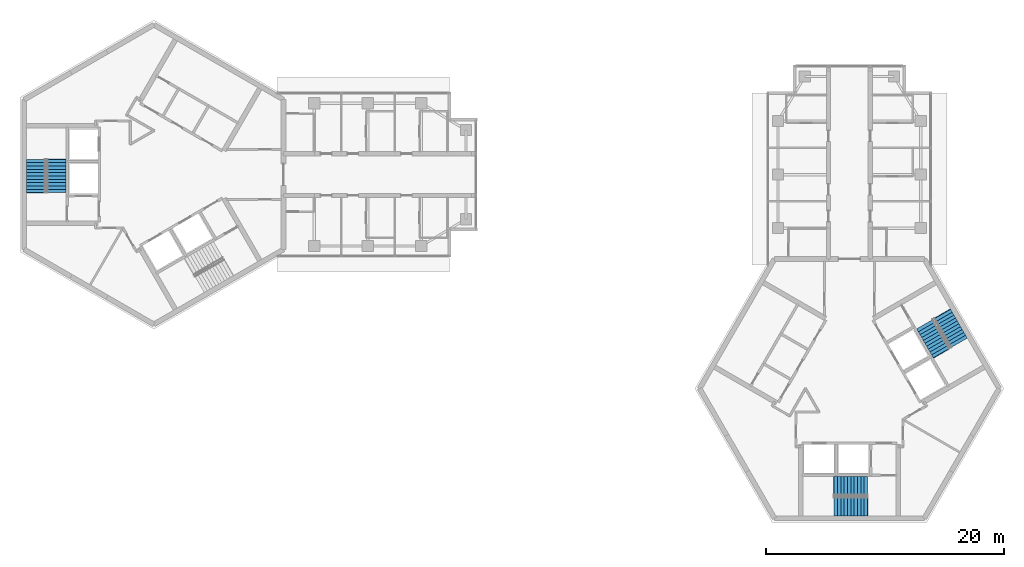
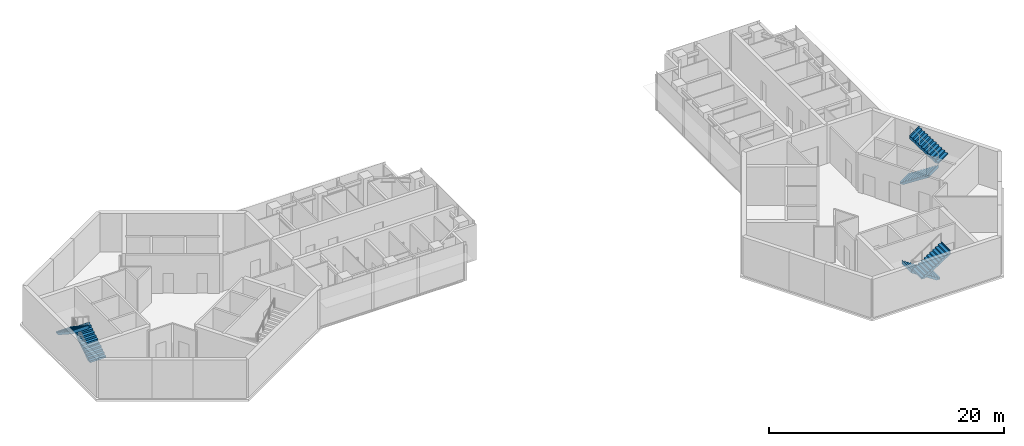
# One storey, part 10 of 11: 6 stair flights, 3 elements without a shape of their own.
"""IFC4 building model written with IfcOpenShell, lengths in metres."""

from ifc_helpers import new_model, si_unit, direction, frame, origin, place, context, subcontext, project, spatial, polyline, outline, extrude, material, type_object, element, aggregate, save


model = new_model("IFC4")

# Units and contexts
model_context = context("Model", 3, precision=1e-05, world=origin(), true_north=direction((0.0, 1.0)))
body_context = subcontext(model_context, "Body", "Model", "MODEL_VIEW")
ifc_project = project(units=[si_unit("LENGTHUNIT", "METRE"), si_unit("AREAUNIT", "SQUARE_METRE"), si_unit("VOLUMEUNIT", "CUBIC_METRE"), si_unit("PLANEANGLEUNIT", "RADIAN"), si_unit("MASSUNIT", "GRAM", prefix="KILO")], contexts=[model_context])

# Site, building, storey
site_placement = place(None, origin())
site = spatial("IfcSite", under=ifc_project, at=site_placement, CompositionType="ELEMENT")
building_placement = place(site_placement, origin())
building = spatial("IfcBuilding", under=site, at=building_placement, Name="Upepo Twin Towers", CompositionType="ELEMENT")
storey_placement = place(building_placement, frame((0.0, 0.0, 287.5)))
storey = spatial("IfcBuildingStorey", under=building, at=storey_placement, Name="L70", CompositionType="ELEMENT", Elevation=287.5)

# Stair, stair flights
ifc_material_1 = material(Name="Concrete C40/50", Category="concrete")
stair_type = type_object("IfcStairType", Name="Core stair, two flights", PredefinedType="HALF_TURN_STAIR", material=ifc_material_1)
stair_1_placement = place(storey_placement, origin())
stair_1 = element("IfcStair", 1, at=stair_1_placement, inside=storey, type_object=stair_type, Name="T1 stair S1 L70", PredefinedType="HALF_TURN_STAIR")
ifc_material_2 = material(Name="Concrete C40/50", Category="concrete")
stair_flight_type = type_object("IfcStairFlightType", Name="Stair flight 1600 RC", PredefinedType="STRAIGHT", material=ifc_material_2)
stair_flight_1_placement = place(storey_placement, frame((-8.199951171875, -1.52001953125, 0.0), z_axis=(0.0, 0.0, 1.0), x_axis=(0.0, 1.0, 0.0)))
stair_flight_1 = element("IfcStairFlight", 2, at=stair_flight_1_placement, type_object=stair_flight_type, Name="Stair S1 flight 1", NumberOfRisers=11, NumberOfTreads=10, PredefinedType="STRAIGHT", RiserHeight=0.181818182, TreadLength=0.28, context=body_context, shape_type="SweptSolid", body=[
    extrude(outline(polyline([(0.0, 0.0), (0.0, 0.181884765625), (0.280029296875, 0.181884765625), (0.280029296875, 0.363525390625), (0.56005859375, 0.363525390625), (0.56005859375, 0.54541015625), (0.840087890625, 0.54541015625), (0.840087890625, 0.727294921875), (1.1201171875, 0.727294921875), (1.1201171875, 0.9091796875), (1.39990234375, 0.9091796875), (1.39990234375, 1.0908203125), (1.679931640625, 1.0908203125), (1.679931640625, 1.272705078125), (1.9599609375, 1.272705078125), (1.9599609375, 1.45458984375), (2.239990234375, 1.45458984375), (2.239990234375, 1.636474609375), (2.52001953125, 1.636474609375), (2.52001953125, 1.818115234375), (2.800048828125, 1.818115234375), (2.800048828125, 2.0), (2.85009765625, 2.0), (2.85009765625, 1.639404296875), (0.3251953125, 0.0), (0.0, 0.0)])), frame((0.0, 0.800048828125, 0.0), z_axis=(0.0, -1.0, 0.0), x_axis=(1.0, 0.0, 0.0)), (0.0, 0.0, 1.0), 1.60009765625),
])
stair_flight_2_placement = place(storey_placement, frame((-9.908447265625, 1.280029296875, 2.0), z_axis=(0.0, 0.0, 1.0), x_axis=(0.0, -1.0, 0.0)))
stair_flight_2 = element("IfcStairFlight", 3, at=stair_flight_2_placement, type_object=stair_flight_type, Name="Stair S1 flight 2", NumberOfRisers=11, NumberOfTreads=10, PredefinedType="STRAIGHT", RiserHeight=0.181818182, TreadLength=0.28, context=body_context, shape_type="SweptSolid", body=[
    extrude(outline(polyline([(0.0, 0.0), (0.0, 0.181884765625), (0.280029296875, 0.181884765625), (0.280029296875, 0.363525390625), (0.56005859375, 0.363525390625), (0.56005859375, 0.54541015625), (0.840087890625, 0.54541015625), (0.840087890625, 0.727294921875), (1.1201171875, 0.727294921875), (1.1201171875, 0.9091796875), (1.39990234375, 0.9091796875), (1.39990234375, 1.0908203125), (1.679931640625, 1.0908203125), (1.679931640625, 1.272705078125), (1.9599609375, 1.272705078125), (1.9599609375, 1.45458984375), (2.239990234375, 1.45458984375), (2.239990234375, 1.636474609375), (2.52001953125, 1.636474609375), (2.52001953125, 1.818115234375), (2.800048828125, 1.818115234375), (2.800048828125, 2.0), (2.85009765625, 2.0), (2.85009765625, 1.639404296875), (0.3251953125, 0.0), (0.0, 0.0)])), frame((0.0, 0.800048828125, 0.0), z_axis=(0.0, -1.0, 0.0), x_axis=(1.0, 0.0, 0.0)), (0.0, 0.0, 1.0), 1.60009765625),
])
aggregate(stair_1, [stair_flight_1, stair_flight_2])

stair_2_placement = place(storey_placement, origin())
stair_2 = element("IfcStair", 4, at=stair_2_placement, inside=storey, type_object=stair_type, Name="T2 stair S1 L70", PredefinedType="HALF_TURN_STAIR")
stair_flight_3_placement = place(storey_placement, frame((60.02001953125, -26.199951171875, 0.0), z_axis=(0.0, 0.0, 1.0), x_axis=(-1.0, 0.0, 0.0)))
stair_flight_3 = element("IfcStairFlight", 5, at=stair_flight_3_placement, type_object=stair_flight_type, Name="Stair S1 flight 1", NumberOfRisers=11, NumberOfTreads=10, PredefinedType="STRAIGHT", RiserHeight=0.181818182, TreadLength=0.28, context=body_context, shape_type="SweptSolid", body=[
    extrude(outline(polyline([(0.0, 0.0), (0.0, 0.181884765625), (0.280029296875, 0.181884765625), (0.280029296875, 0.363525390625), (0.56005859375, 0.363525390625), (0.56005859375, 0.54541015625), (0.840087890625, 0.54541015625), (0.840087890625, 0.727294921875), (1.1201171875, 0.727294921875), (1.1201171875, 0.9091796875), (1.39990234375, 0.9091796875), (1.39990234375, 1.0908203125), (1.679931640625, 1.0908203125), (1.679931640625, 1.272705078125), (1.9599609375, 1.272705078125), (1.9599609375, 1.45458984375), (2.239990234375, 1.45458984375), (2.239990234375, 1.636474609375), (2.52001953125, 1.636474609375), (2.52001953125, 1.818115234375), (2.800048828125, 1.818115234375), (2.800048828125, 2.0), (2.85009765625, 2.0), (2.85009765625, 1.639404296875), (0.3251953125, 0.0), (0.0, 0.0)])), frame((0.0, 0.800048828125, 0.0), z_axis=(0.0, -1.0, 0.0), x_axis=(1.0, 0.0, 0.0)), (0.0, 0.0, 1.0), 1.60009765625),
])
stair_flight_4_placement = place(storey_placement, frame((57.219970703125, -27.908447265625, 2.0), z_axis=(0.0, 0.0, 1.0), x_axis=(1.0, 0.0, 0.0)))
stair_flight_4 = element("IfcStairFlight", 6, at=stair_flight_4_placement, type_object=stair_flight_type, Name="Stair S1 flight 2", NumberOfRisers=11, NumberOfTreads=10, PredefinedType="STRAIGHT", RiserHeight=0.181818182, TreadLength=0.28, context=body_context, shape_type="SweptSolid", body=[
    extrude(outline(polyline([(0.0, 0.0), (0.0, 0.181884765625), (0.280029296875, 0.181884765625), (0.280029296875, 0.363525390625), (0.56005859375, 0.363525390625), (0.56005859375, 0.54541015625), (0.840087890625, 0.54541015625), (0.840087890625, 0.727294921875), (1.1201171875, 0.727294921875), (1.1201171875, 0.9091796875), (1.39990234375, 0.9091796875), (1.39990234375, 1.0908203125), (1.679931640625, 1.0908203125), (1.679931640625, 1.272705078125), (1.9599609375, 1.272705078125), (1.9599609375, 1.45458984375), (2.239990234375, 1.45458984375), (2.239990234375, 1.636474609375), (2.52001953125, 1.636474609375), (2.52001953125, 1.818115234375), (2.800048828125, 1.818115234375), (2.800048828125, 2.0), (2.85009765625, 2.0), (2.85009765625, 1.639404296875), (0.3251953125, 0.0), (0.0, 0.0)])), frame((0.0, 0.800048828125, 0.0), z_axis=(0.0, -1.0, 0.0), x_axis=(1.0, 0.0, 0.0)), (0.0, 0.0, 1.0), 1.60009765625),
])
aggregate(stair_2, [stair_flight_3, stair_flight_4])

stair_3_placement = place(storey_placement, origin())
stair_3 = element("IfcStair", 7, at=stair_3_placement, inside=storey, type_object=stair_type, Name="T2 stair S2 L70", PredefinedType="HALF_TURN_STAIR")
stair_flight_5_placement = place(storey_placement, frame((64.84130859375, -12.583740234375, 0.0), z_axis=(0.0, 0.0, 1.0), x_axis=(0.5, -0.866025403784, 0.0)))
stair_flight_5 = element("IfcStairFlight", 8, at=stair_flight_5_placement, type_object=stair_flight_type, Name="Stair S2 flight 1", NumberOfRisers=11, NumberOfTreads=10, PredefinedType="STRAIGHT", RiserHeight=0.181818182, TreadLength=0.28, context=body_context, shape_type="SweptSolid", body=[
    extrude(outline(polyline([(0.0, 0.0), (0.0, 0.181884765625), (0.280029296875, 0.181884765625), (0.280029296875, 0.363525390625), (0.56005859375, 0.363525390625), (0.56005859375, 0.54541015625), (0.840087890625, 0.54541015625), (0.840087890625, 0.727294921875), (1.1201171875, 0.727294921875), (1.1201171875, 0.9091796875), (1.39990234375, 0.9091796875), (1.39990234375, 1.0908203125), (1.679931640625, 1.0908203125), (1.679931640625, 1.272705078125), (1.9599609375, 1.272705078125), (1.9599609375, 1.45458984375), (2.239990234375, 1.45458984375), (2.239990234375, 1.636474609375), (2.52001953125, 1.636474609375), (2.52001953125, 1.818115234375), (2.800048828125, 1.818115234375), (2.800048828125, 2.0), (2.85009765625, 2.0), (2.85009765625, 1.639404296875), (0.3251953125, 0.0), (0.0, 0.0)])), frame((0.0, 0.800048828125, 0.0), z_axis=(0.0, -1.0, 0.0), x_axis=(1.0, 0.0, 0.0)), (0.0, 0.0, 1.0), 1.60009765625),
])
stair_flight_6_placement = place(storey_placement, frame((67.720947265625, -14.154296875, 2.0), z_axis=(0.0, 0.0, 1.0), x_axis=(-0.5, 0.866025403784, 0.0)))
stair_flight_6 = element("IfcStairFlight", 9, at=stair_flight_6_placement, type_object=stair_flight_type, Name="Stair S2 flight 2", NumberOfRisers=11, NumberOfTreads=10, PredefinedType="STRAIGHT", RiserHeight=0.181818182, TreadLength=0.28, context=body_context, shape_type="SweptSolid", body=[
    extrude(outline(polyline([(0.0, 0.0), (0.0, 0.181884765625), (0.280029296875, 0.181884765625), (0.280029296875, 0.363525390625), (0.56005859375, 0.363525390625), (0.56005859375, 0.54541015625), (0.840087890625, 0.54541015625), (0.840087890625, 0.727294921875), (1.1201171875, 0.727294921875), (1.1201171875, 0.9091796875), (1.39990234375, 0.9091796875), (1.39990234375, 1.0908203125), (1.679931640625, 1.0908203125), (1.679931640625, 1.272705078125), (1.9599609375, 1.272705078125), (1.9599609375, 1.45458984375), (2.239990234375, 1.45458984375), (2.239990234375, 1.636474609375), (2.52001953125, 1.636474609375), (2.52001953125, 1.818115234375), (2.800048828125, 1.818115234375), (2.800048828125, 2.0), (2.85009765625, 2.0), (2.85009765625, 1.639404296875), (0.3251953125, 0.0), (0.0, 0.0)])), frame((0.0, 0.800048828125, 0.0), z_axis=(0.0, -1.0, 0.0), x_axis=(1.0, 0.0, 0.0)), (0.0, 0.0, 1.0), 1.60009765625),
])
aggregate(stair_3, [stair_flight_5, stair_flight_6])

save(model, "model.ifc")
